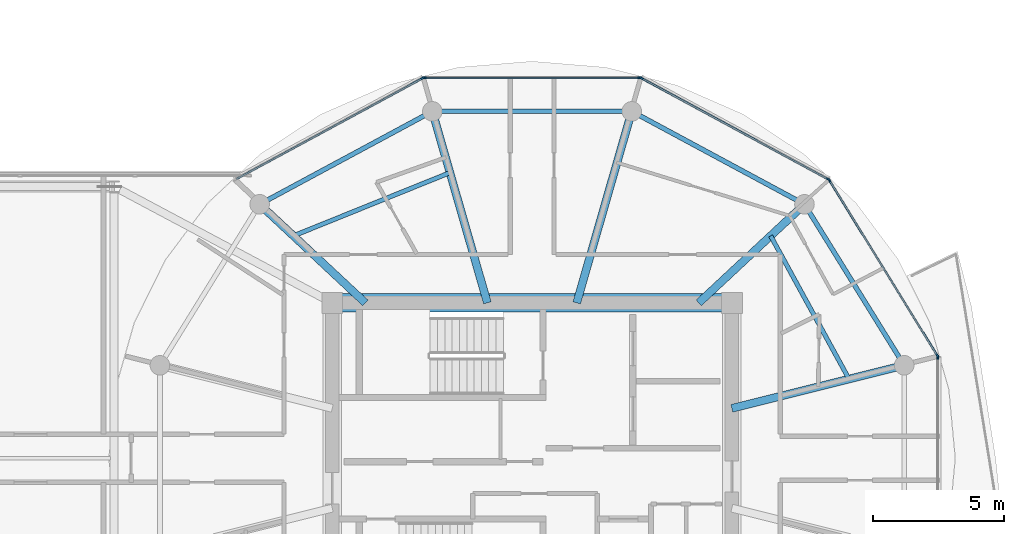
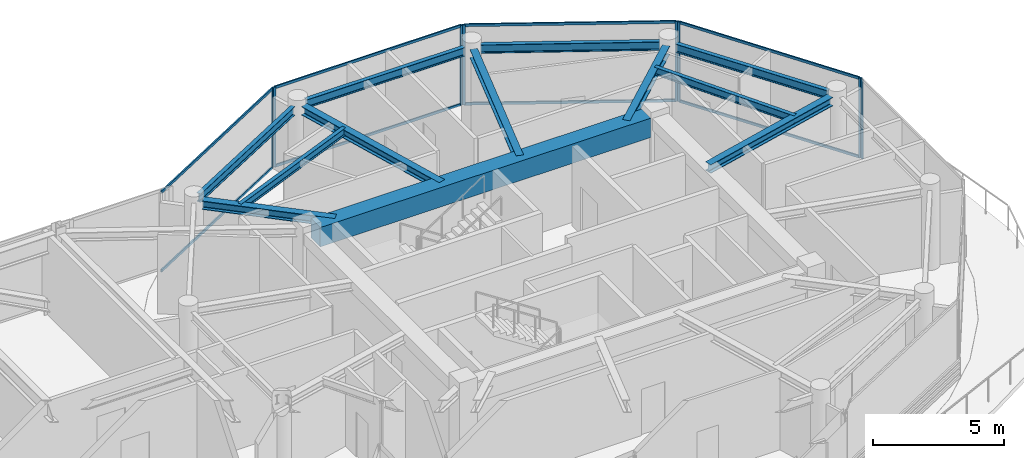
# One storey, part 10 of 24: 16 members, 12 beams, 5 elements without a shape of their own.
"""IFC4 building model written with IfcOpenShell, lengths in metres."""

import ifcopenshell
import ifcopenshell.guid

model = None  # the IFC model being written
_history = None  # IfcOwnerHistory: only IFC2X3 demands one
_inside = {}  # id of a spatial element -> (the spatial element, [elements in it])
_under = {}  # id of a project, library or spatial element -> (it, [spatial elements below it])
_declared = {}  # id of a project -> (the project, [libraries it declares])
_typed = {}  # id of a type object -> (the type object, [elements of that type])
_made_of = {}  # id of a material, layer set ... -> (it, [elements and type objects made of it])


def new_model(schema):
    """Start an empty IFC model of exactly this schema.

    Asked for "IFC4X3", IfcOpenShell would pick the latest addendum, in which some entities
    have other attributes; the version numbers below select the first issue.
    IFC2X3 requires an IfcOwnerHistory on every rooted entity: one is made here for all.
    """
    global model, _history
    if schema == "IFC4X3":
        model = ifcopenshell.file(schema_version=(4, 3, 0, 0))
    else:
        model = ifcopenshell.file(schema=schema)
    _inside.clear()
    _under.clear()
    _declared.clear()
    _typed.clear()
    _made_of.clear()
    _history = None
    if model.schema == "IFC2X3":
        org = make("IfcOrganization", Name="unknown")
        user = make(
            "IfcPersonAndOrganization",
            ThePerson=make("IfcPerson", FamilyName="unknown"),
            TheOrganization=org,
        )
        app = make(
            "IfcApplication",
            ApplicationDeveloper=org,
            Version="unknown",
            ApplicationFullName="unknown",
            ApplicationIdentifier="unknown",
        )
        _history = make(
            "IfcOwnerHistory",
            OwningUser=user,
            OwningApplication=app,
            ChangeAction="ADDED",
            CreationDate=0,
        )
    return model


def make(cls, **values):
    """One entity of the class cls with the attributes given. An attribute that is None is left unset."""
    return model.create_entity(
        cls, **{name: value for name, value in values.items() if value is not None}
    )


def rooted(cls, **values):
    """An entity with a GlobalId (a new one), such as an element, a storey or a relation."""
    return make(cls, GlobalId=ifcopenshell.guid.new(), OwnerHistory=_history, **values)


def si_unit(unit_type, name, prefix=None):
    """IfcSIUnit, for example si_unit("LENGTHUNIT", "METRE", prefix="MILLI")."""
    return make("IfcSIUnit", UnitType=unit_type, Prefix=prefix, Name=name)


def assignment(units):
    """IfcUnitAssignment: the units of a project."""
    return None if units is None else make("IfcUnitAssignment", Units=units)


def point(xyz):
    """IfcCartesianPoint."""
    return None if xyz is None else make("IfcCartesianPoint", Coordinates=xyz)


def direction(xyz):
    """IfcDirection."""
    return None if xyz is None else make("IfcDirection", DirectionRatios=xyz)


def frame(location, z_axis=None, x_axis=None):
    """IfcAxis2Placement3D, a coordinate frame: its origin and axes. An axis left out is left unset."""
    return make(
        "IfcAxis2Placement3D",
        Location=point(location),
        Axis=direction(z_axis),
        RefDirection=direction(x_axis),
    )


def frame_2d(location, x_axis=None):
    """IfcAxis2Placement2D, a coordinate frame in the plane: its origin and x axis."""
    return make(
        "IfcAxis2Placement2D", Location=point(location), RefDirection=direction(x_axis)
    )


def origin():
    """The frame at (0, 0, 0) with its axes left unset."""
    return frame((0.0, 0.0, 0.0))


def origin_2d():
    """The frame at (0, 0) in the plane with its x axis left unset."""
    return frame_2d((0.0, 0.0))


def place(relative_to, where):
    """IfcLocalPlacement: puts the frame where relative to a parent placement (None: the world)."""
    return make(
        "IfcLocalPlacement", PlacementRelTo=relative_to, RelativePlacement=where
    )


def context(
    kind, dimensions, precision=None, world=None, true_north=None, identifier=None
):
    """IfcGeometricRepresentationContext, for example the 3D "Model" context."""
    return make(
        "IfcGeometricRepresentationContext",
        ContextIdentifier=identifier,
        ContextType=kind,
        CoordinateSpaceDimension=dimensions,
        Precision=precision,
        WorldCoordinateSystem=world,
        TrueNorth=true_north,
    )


def subcontext(parent, identifier, kind, view, scale=None):
    """IfcGeometricRepresentationSubContext, for example "Body" below "Model"."""
    return make(
        "IfcGeometricRepresentationSubContext",
        ContextIdentifier=identifier,
        ContextType=kind,
        ParentContext=parent,
        TargetScale=scale,
        TargetView=view,
    )


def project(units=None, contexts=None):
    """IfcProject with its units and contexts."""
    return rooted(
        "IfcProject",
        Name="project",
        RepresentationContexts=contexts,
        UnitsInContext=assignment(units),
    )


def spatial(cls, under=None, at=None, **own):
    """A site, building, storey or space (cls), placed at a placement, below another one or the project."""
    s = rooted(cls, ObjectPlacement=at, **own)
    if under is not None:
        _under.setdefault(under.id(), (under, []))[1].append(s)
    return s


def profile(cls, at=None, kind="AREA", **sizes):
    """A parametric profile (cls). Its sizes go by their IFC names, for example OverallWidth=200.0."""
    return make(cls, ProfileType=kind, Position=at, **sizes)


def rectangle(**sizes):
    """IfcRectangleProfileDef."""
    return profile("IfcRectangleProfileDef", **sizes)


def i_section(**sizes):
    """IfcIShapeProfileDef."""
    return profile("IfcIShapeProfileDef", **sizes)


def extrude(swept, where, along, depth):
    """IfcExtrudedAreaSolid: the profile swept, set in the frame where, extruded along a direction by depth."""
    return make(
        "IfcExtrudedAreaSolid",
        SweptArea=swept,
        Position=where,
        ExtrudedDirection=direction(along),
        Depth=depth,
    )


def shape(context_of_items, identifier, shape_type, items):
    """IfcShapeRepresentation: the items that make up one representation, for example the "Body"."""
    return make(
        "IfcShapeRepresentation",
        ContextOfItems=context_of_items,
        RepresentationIdentifier=identifier,
        RepresentationType=shape_type,
        Items=items,
    )


def source(mapping_origin, context_of_items, identifier, shape_type, items):
    """IfcRepresentationMap: a shape defined once, which mapped items show again and again."""
    return make(
        "IfcRepresentationMap",
        MappingOrigin=mapping_origin,
        MappedRepresentation=shape(context_of_items, identifier, shape_type, items),
    )


def transform(
    local_origin,
    x_axis=None,
    y_axis=None,
    z_axis=None,
    scale=None,
    scale2=None,
    scale3=None,
    uniform=True,
):
    """IfcCartesianTransformationOperator3D, or its non-uniform kind. x_axis, y_axis, z_axis: its Axis1, 2, 3."""
    if uniform:
        return make(
            "IfcCartesianTransformationOperator3D",
            Axis1=direction(x_axis),
            Axis2=direction(y_axis),
            LocalOrigin=point(local_origin),
            Scale=scale,
            Axis3=direction(z_axis),
        )
    return make(
        "IfcCartesianTransformationOperator3DnonUniform",
        Axis1=direction(x_axis),
        Axis2=direction(y_axis),
        LocalOrigin=point(local_origin),
        Scale=scale,
        Axis3=direction(z_axis),
        Scale2=scale2,
        Scale3=scale3,
    )


def mapped(mapping_source, mapping_target):
    """IfcMappedItem: shows the shape of a source again, moved by a transform."""
    return make(
        "IfcMappedItem", MappingSource=mapping_source, MappingTarget=mapping_target
    )


def material(Name=None, Category=None):
    """IfcMaterial."""
    return make("IfcMaterial", Name=Name, Category=Category)


def layer(
    of_material, thickness, ventilated=None, Name=None, Category=None, Priority=None
):
    """IfcMaterialLayer: one layer of a wall or slab, of a material (None: an air gap)."""
    return make(
        "IfcMaterialLayer",
        Material=of_material,
        LayerThickness=thickness,
        IsVentilated=ventilated,
        Name=Name,
        Category=Category,
        Priority=Priority,
    )


def layer_set(layers, Name=None):
    """IfcMaterialLayerSet."""
    return make("IfcMaterialLayerSet", MaterialLayers=layers, LayerSetName=Name)


def material_profile(
    of_material, cross_section, Name=None, Category=None, Priority=None
):
    """IfcMaterialProfile: a cross section and its material."""
    return make(
        "IfcMaterialProfile",
        Name=Name,
        Material=of_material,
        Profile=cross_section,
        Priority=Priority,
        Category=Category,
    )


def profile_set(profiles, Name=None, composite=None):
    """IfcMaterialProfileSet."""
    return make(
        "IfcMaterialProfileSet",
        Name=Name,
        MaterialProfiles=profiles,
        CompositeProfile=composite,
    )


def made_of(thing, what):
    """Note that an element or type object is made of a material, layer set ...; save() writes the relation."""
    if what is not None:
        _made_of.setdefault(what.id(), (what, []))[1].append(thing)
    return thing


def type_object(cls, material=None, **own):
    """A type object (cls), such as IfcWallType, which elements share."""
    return made_of(rooted(cls, **own), material)


def type_shapes(of_type, sources):
    """Give a type object the sources (RepresentationMaps) that its elements show as mapped items."""
    of_type.RepresentationMaps = sources


def element(
    cls,
    number,
    at=None,
    inside=None,
    cuts=None,
    type_object=None,
    material=None,
    context=None,
    identifier="Body",
    shape_type=None,
    held_by="IfcProductDefinitionShape",
    body=None,
    shapes=None,
    **own,
):
    """One element of the class cls, such as IfcWall. Its Tag is "e" and its number.

    at: its placement. inside: the storey or other place that contains it. cuts: it is an
    opening in that element (IfcRelVoidsElement). A single representation is given by context,
    identifier, shape_type and body (its items); several are given by shapes. held_by: the class
    of the entity that holds the representations. save() writes the other relations.
    """
    e = rooted(cls, Tag="e%d" % number, ObjectPlacement=at, **own)
    if body is not None:
        shapes = [shape(context, identifier, shape_type, body)]
    if shapes is not None:
        e.Representation = make(held_by, Representations=shapes)
    if inside is not None:
        _inside.setdefault(inside.id(), (inside, []))[1].append(e)
    if cuts is not None:
        rooted(
            "IfcRelVoidsElement", RelatingBuildingElement=cuts, RelatedOpeningElement=e
        )
    if type_object is not None:
        _typed.setdefault(type_object.id(), (type_object, []))[1].append(e)
    return made_of(e, material)


def aggregate(whole, parts):
    """IfcRelAggregates: a whole, such as a stair, and the parts it consists of."""
    return rooted("IfcRelAggregates", RelatingObject=whole, RelatedObjects=parts)


def save(model, path):
    """Write the relations noted so far, then the file.

    IfcRelAggregates (storeys below a building ...), IfcRelContainedInSpatialStructure (elements
    in a storey), IfcRelDefinesByType, IfcRelAssociatesMaterial and IfcRelDeclares: one each for
    every whole, place, type object, material and project.
    """
    for whole, parts in _under.values():
        aggregate(whole, parts)
    for where, things in _inside.values():
        rooted(
            "IfcRelContainedInSpatialStructure",
            RelatedElements=things,
            RelatingStructure=where,
        )
    for kind, things in _typed.values():
        rooted("IfcRelDefinesByType", RelatedObjects=things, RelatingType=kind)
    for what, things in _made_of.values():
        rooted("IfcRelAssociatesMaterial", RelatedObjects=things, RelatingMaterial=what)
    for by, libraries in _declared.values():
        rooted("IfcRelDeclares", RelatingContext=by, RelatedDefinitions=libraries)
    model.write(path)


model = new_model("IFC4")

# Units and contexts
model_context = context("Model", 3, precision=1e-05, world=origin(), true_north=direction((0.0, 1.0)))
body_context = subcontext(model_context, "Body", "Model", "MODEL_VIEW")
ifc_project = project(units=[si_unit("LENGTHUNIT", "METRE"), si_unit("AREAUNIT", "SQUARE_METRE"), si_unit("VOLUMEUNIT", "CUBIC_METRE"), si_unit("PLANEANGLEUNIT", "RADIAN"), si_unit("MASSUNIT", "GRAM", prefix="KILO")], contexts=[model_context])

# Site, building, storey
site_placement = place(None, origin())
site = spatial("IfcSite", under=ifc_project, at=site_placement, CompositionType="ELEMENT")
building_placement = place(site_placement, origin())
building = spatial("IfcBuilding", under=site, at=building_placement, Name="Norrkilde Senior Care Towers", CompositionType="ELEMENT")
storey_placement = place(building_placement, frame((0.0, 0.0, 203.800048828125)))
storey = spatial("IfcBuildingStorey", under=building, at=storey_placement, Name="L63", CompositionType="ELEMENT", Elevation=203.800048828125)

# Beams
ifc_material_1 = material(Name="Concrete C60/75", Category="concrete")
ifc_material_profile_1 = material_profile(ifc_material_1, rectangle(XDim=0.699951171875, YDim=0.89990234375, at=origin_2d()), Name="RC BM 700x900")
ifc_profile_set_1 = profile_set([ifc_material_profile_1], Name="Concrete C60/75")
beam_type_1 = type_object("IfcBeamType", Name="Core Coupling Girder 700x900", PredefinedType="USERDEFINED", material=ifc_profile_set_1)
shared_shape_1 = source(origin(), body_context, "Body", "SweptSolid", [
    extrude(rectangle(XDim=0.699951171875, YDim=0.89990234375, at=origin_2d()), origin(), (0.0, 0.0, 1.0), 14.5400390625),
])
type_shapes(beam_type_1, [shared_shape_1])
beam_1_placement = place(storey_placement, frame((20.72998046875, 5.949951171875, 3.260009765625), z_axis=(1.0, 0.0, 0.0), x_axis=(0.0, 1.0, 0.0)))
element("IfcBeam", 1, at=beam_1_placement, inside=storey, type_object=beam_type_1, Name="L63 Core E N Coupling Girder", ObjectType="GIRDER", PredefinedType="USERDEFINED", context=body_context, shape_type="MappedRepresentation", body=[
    mapped(shared_shape_1, transform((0.0, 0.0, 0.0), x_axis=(1.0, 0.0, 0.0), y_axis=(0.0, 1.0, 0.0), z_axis=(0.0, 0.0, 1.0), scale=1.0)),
])
ifc_material_2 = material(Name="Steel S355", Category="steel")
ifc_material_profile_2 = material_profile(ifc_material_2, i_section(OverallWidth=0.179931640625, OverallDepth=0.39990234375, WebThickness=0.008544921875, FlangeThickness=0.013427734375, FilletRadius=0.02099609375, at=origin_2d()), Name="IPE 400")
ifc_profile_set_2 = profile_set([ifc_material_profile_2], Name="Steel S355")
beam_type_2 = type_object("IfcBeamType", Name="Perimeter Ring Spandrel Z4 IPE400", PredefinedType="SPANDREL", material=ifc_profile_set_2)
shared_shape_2 = source(origin(), body_context, "Body", "SweptSolid", [
    extrude(i_section(OverallWidth=0.179931640625, OverallDepth=0.39990234375, WebThickness=0.008544921875, FlangeThickness=0.013427734375, FilletRadius=0.02099609375, at=origin_2d()), origin(), (0.0, 0.0, 1.0), 6.58056640625),
])
beam_2_placement = place(storey_placement, frame((42.071044921875, 3.843505859375, 3.510009765625), z_axis=(-0.526529583789, 0.850156807533, 0.0), x_axis=(-0.850156807533, -0.526529583789, 0.0)))
element("IfcBeam", 2, at=beam_2_placement, inside=storey, type_object=beam_type_2, Name="L63 Drum E Perimeter Spandrel 01", PredefinedType="SPANDREL", context=body_context, shape_type="MappedRepresentation", body=[
    mapped(shared_shape_2, transform((0.0, 0.0, 0.0), x_axis=(1.0, 0.0, 0.0), y_axis=(0.0, 1.0, 0.0), z_axis=(0.0, 0.0, 1.0), scale=1.0)),
])
ifc_material_profile_3 = material_profile(ifc_material_2, i_section(OverallWidth=0.300048828125, OverallDepth=0.39990234375, WebThickness=0.013427734375, FlangeThickness=0.02392578125, FilletRadius=0.027099609375, at=origin_2d()), Name="HEB 400")
ifc_profile_set_3 = profile_set([ifc_material_profile_3], Name="Steel S355")
beam_type_3 = type_object("IfcBeamType", Name="Radial Floor Beam Z4 HEB400", PredefinedType="BEAM", material=ifc_profile_set_3)
shared_shape_3 = source(origin(), body_context, "Body", "SweptSolid", [
    extrude(i_section(OverallWidth=0.300048828125, OverallDepth=0.39990234375, WebThickness=0.013427734375, FlangeThickness=0.02392578125, FilletRadius=0.027099609375, at=origin_2d()), origin(), (0.0, 0.0, 1.0), 6.465087890625),
])
beam_3_placement = place(storey_placement, frame((35.64990234375, 1.910888671875, 3.510009765625), z_axis=(0.970195788563, 0.242322371758, 0.0), x_axis=(-0.242322371758, 0.970195788563, 0.0)))
element("IfcBeam", 3, at=beam_3_placement, inside=storey, type_object=beam_type_3, Name="L63 Drum E Radial Floor Beam 01", PredefinedType="BEAM", context=body_context, shape_type="MappedRepresentation", body=[
    mapped(shared_shape_3, transform((0.0, 0.0, 0.0), x_axis=(1.0, 0.0, 0.0), y_axis=(0.0, 1.0, 0.0), z_axis=(0.0, 0.0, 1.0), scale=1.0)),
])
shared_shape_4 = source(origin(), body_context, "Body", "SweptSolid", [
    extrude(i_section(OverallWidth=0.179931640625, OverallDepth=0.39990234375, WebThickness=0.008544921875, FlangeThickness=0.013427734375, FilletRadius=0.02099609375, at=origin_2d()), origin(), (0.0, 0.0, 1.0), 6.839111328125),
])
for number, where, z_axis, x_axis, name in (
    (4, (38.134765625, 9.881591796875, 3.510009765625), (-0.880563930732, 0.473927382511, 0.0), (-0.473927382511, -0.880563930732, 0.0), "L63 Drum E Perimeter Spandrel 02"),
    (5, (23.887451171875, 13.122802734375, 3.510009765625), (-0.880563930732, -0.473927382511, 0.0), (0.473927382511, -0.880563930732, 0.0), "L63 Drum E Perimeter Spandrel 04"),
):
    element("IfcBeam", number, at=place(storey_placement, frame(where, z_axis=z_axis, x_axis=x_axis)), inside=storey, type_object=beam_type_2, Name=name, PredefinedType="SPANDREL", context=body_context, shape_type="MappedRepresentation", body=[
        mapped(shared_shape_4, transform((0.0, 0.0, 0.0), x_axis=(1.0, 0.0, 0.0), y_axis=(0.0, 1.0, 0.0), z_axis=(0.0, 0.0, 1.0), scale=1.0)),
    ])
shared_shape_5 = source(origin(), body_context, "Body", "SweptSolid", [
    extrude(i_section(OverallWidth=0.300048828125, OverallDepth=0.39990234375, WebThickness=0.013427734375, FlangeThickness=0.02392578125, FilletRadius=0.027099609375, at=origin_2d()), origin(), (0.0, 0.0, 1.0), 5.197998046875),
])
for number, where, z_axis, x_axis, name in (
    (6, (34.3828125, 5.949951171875, 3.510009765625), (0.731448749334, 0.681896419625, 0.0), (-0.681896419625, 0.731448749334, 0.0), "L63 Drum E Radial Floor Beam 02"),
    (7, (21.6171875, 5.949951171875, 3.510009765625), (-0.731448749334, 0.681896419625, 0.0), (-0.681896419625, -0.731448749334, 0.0), "L63 Drum E Radial Floor Beam 05"),
):
    element("IfcBeam", number, at=place(storey_placement, frame(where, z_axis=z_axis, x_axis=x_axis)), inside=storey, type_object=beam_type_3, Name=name, PredefinedType="BEAM", context=body_context, shape_type="MappedRepresentation", body=[
        mapped(shared_shape_5, transform((0.0, 0.0, 0.0), x_axis=(1.0, 0.0, 0.0), y_axis=(0.0, 1.0, 0.0), z_axis=(0.0, 0.0, 1.0), scale=1.0)),
    ])
shared_shape_6 = source(origin(), body_context, "Body", "SweptSolid", [
    extrude(i_section(OverallWidth=0.179931640625, OverallDepth=0.39990234375, WebThickness=0.008544921875, FlangeThickness=0.013427734375, FilletRadius=0.02099609375, at=origin_2d()), origin(), (0.0, 0.0, 1.0), 6.96533203125),
])
type_shapes(beam_type_2, [shared_shape_2, shared_shape_4, shared_shape_6])
beam_4_placement = place(storey_placement, frame((31.482666015625, 13.281494140625, 3.510009765625), z_axis=(-1.0, 0.0, 0.0), x_axis=(0.0, -1.0, 0.0)))
element("IfcBeam", 8, at=beam_4_placement, inside=storey, type_object=beam_type_2, Name="L63 Drum E Perimeter Spandrel 03", PredefinedType="SPANDREL", context=body_context, shape_type="MappedRepresentation", body=[
    mapped(shared_shape_6, transform((0.0, 0.0, 0.0), x_axis=(1.0, 0.0, 0.0), y_axis=(0.0, 1.0, 0.0), z_axis=(0.0, 0.0, 1.0), scale=1.0)),
])
shared_shape_7 = source(origin(), body_context, "Body", "SweptSolid", [
    extrude(i_section(OverallWidth=0.300048828125, OverallDepth=0.39990234375, WebThickness=0.013427734375, FlangeThickness=0.02392578125, FilletRadius=0.027099609375, at=origin_2d()), origin(), (0.0, 0.0, 1.0), 7.29345703125),
])
type_shapes(beam_type_3, [shared_shape_3, shared_shape_5, shared_shape_7])
for number, where, z_axis, x_axis, name in (
    (9, (29.710205078125, 5.949951171875, 3.510009765625), (0.276263751906, 0.961081858836, 0.0), (-0.961081858836, 0.276263751906, 0.0), "L63 Drum E Radial Floor Beam 03"),
    (10, (26.289794921875, 5.949951171875, 3.510009765625), (-0.276263751906, 0.961081858836, 0.0), (-0.961081858836, -0.276263751906, 0.0), "L63 Drum E Radial Floor Beam 04"),
):
    element("IfcBeam", number, at=place(storey_placement, frame(where, z_axis=z_axis, x_axis=x_axis)), inside=storey, type_object=beam_type_3, Name=name, PredefinedType="BEAM", context=body_context, shape_type="MappedRepresentation", body=[
        mapped(shared_shape_7, transform((0.0, 0.0, 0.0), x_axis=(1.0, 0.0, 0.0), y_axis=(0.0, 1.0, 0.0), z_axis=(0.0, 0.0, 1.0), scale=1.0)),
    ])
ifc_material_profile_4 = material_profile(ifc_material_2, i_section(OverallWidth=0.169921875, OverallDepth=0.360107421875, WebThickness=0.008056640625, FlangeThickness=0.0126953125, FilletRadius=0.01806640625, at=origin_2d()), Name="IPE 360")
ifc_profile_set_4 = profile_set([ifc_material_profile_4], Name="Steel S355")
beam_type_4 = type_object("IfcBeamType", Name="Secondary Floor Joist IPE360", PredefinedType="JOIST", material=ifc_profile_set_4)
shared_shape_8 = source(origin(), body_context, "Body", "SweptSolid", [
    extrude(i_section(OverallWidth=0.169921875, OverallDepth=0.360107421875, WebThickness=0.008056640625, FlangeThickness=0.0126953125, FilletRadius=0.01806640625, at=origin_2d()), origin(), (0.0, 0.0, 1.0), 6.461669921875),
])
beam_5_placement = place(storey_placement, frame((24.856689453125, 10.935302734375, 3.530029296875), z_axis=(-0.927225942298, -0.374502405772, 0.0), x_axis=(0.374502405772, -0.927225942298, 0.0)))
element("IfcBeam", 11, at=beam_5_placement, inside=storey, type_object=beam_type_4, Name="L63 Drum E Secondary Floor Joist 2", PredefinedType="JOIST", context=body_context, shape_type="MappedRepresentation", body=[
    mapped(shared_shape_8, transform((0.0, 0.0, 0.0), x_axis=(1.0, 0.0, 0.0), y_axis=(0.0, 1.0, 0.0), z_axis=(0.0, 0.0, 1.0), scale=1.0)),
])
shared_shape_9 = source(origin(), body_context, "Body", "SweptSolid", [
    extrude(i_section(OverallWidth=0.169921875, OverallDepth=0.360107421875, WebThickness=0.008056640625, FlangeThickness=0.0126953125, FilletRadius=0.01806640625, at=origin_2d()), origin(), (0.0, 0.0, 1.0), 6.25146484375),
])
type_shapes(beam_type_4, [shared_shape_8, shared_shape_9])
beam_6_placement = place(storey_placement, frame((40.13623046875, 3.031494140625, 3.530029296875), z_axis=(-0.480115752653, 0.877205143655, 0.0), x_axis=(-0.877205143655, -0.480115752653, 0.0)))
element("IfcBeam", 12, at=beam_6_placement, inside=storey, type_object=beam_type_4, Name="L63 Drum E Secondary Floor Joist 1", PredefinedType="JOIST", context=body_context, shape_type="MappedRepresentation", body=[
    mapped(shared_shape_9, transform((0.0, 0.0, 0.0), x_axis=(1.0, 0.0, 0.0), y_axis=(0.0, 1.0, 0.0), z_axis=(0.0, 0.0, 1.0), scale=1.0)),
])

# Curtain wall, members
ifc_material_3 = material(Name="Triple Low-E Insulated Glazing", Category="glass")
ifc_layer = layer(ifc_material_3, 0.18505859375)
ifc_layer_set = layer_set([ifc_layer], Name="Triple Low-E Insulated Glazing")
curtain_wall_type = type_object("IfcCurtainWallType", Name="CW6 Zone 4 Crown Pavilion Curtain Wall", PredefinedType="NOTDEFINED", material=ifc_layer_set)
curtain_wall_1_placement = place(storey_placement, origin())
curtain_wall_1 = element("IfcCurtainWall", 13, at=curtain_wall_1_placement, inside=storey, type_object=curtain_wall_type, Name="L63 Drum E Curtain Wall 00", PredefinedType="NOTDEFINED")
ifc_material_4 = material(Name="Anodised Aluminium", Category="aluminium")
ifc_material_profile_5 = material_profile(ifc_material_4, rectangle(XDim=0.06005859375, YDim=0.1201171875, at=origin_2d()), Name="ALU TRAN 60x120")
ifc_profile_set_5 = profile_set([ifc_material_profile_5], Name="Anodised Aluminium")
member_type_1 = type_object("IfcMemberType", Name="Curtain Wall Transom Typical 60x120", PredefinedType="USERDEFINED", material=ifc_profile_set_5)
shared_shape_10 = source(origin(), body_context, "Body", "SweptSolid", [
    extrude(rectangle(XDim=0.06005859375, YDim=0.1201171875, at=origin_2d()), origin(), (0.0, 0.0, 1.0), 7.808837890625),
])
member_1_placement = place(storey_placement, frame((39.404296875, 10.60791015625, 0.030029296875), z_axis=(0.524250924101, -0.851563837055, 0.0), x_axis=(0.851563837055, 0.524250924101, 0.0)))
member_1 = element("IfcMember", 14, at=member_1_placement, type_object=member_type_1, Name="CW-6 transom 1.1", ObjectType="TRANSOM", PredefinedType="USERDEFINED", context=body_context, shape_type="MappedRepresentation", body=[
    mapped(shared_shape_10, transform((0.0, 0.0, 0.0), x_axis=(1.0, 0.0, 0.0), y_axis=(0.0, 1.0, 0.0), z_axis=(0.0, 0.0, 1.0), scale=1.0)),
])
member_2_placement = place(storey_placement, frame((39.404296875, 10.60791015625, 3.679931640625), z_axis=(0.524250924101, -0.851563837055, 0.0), x_axis=(0.851563837055, 0.524250924101, 0.0)))
member_2 = element("IfcMember", 15, at=member_2_placement, type_object=member_type_1, Name="CW-6 transom 1.2", ObjectType="TRANSOM", PredefinedType="USERDEFINED", context=body_context, shape_type="MappedRepresentation", body=[
    mapped(shared_shape_10, transform((0.0, 0.0, 0.0), x_axis=(1.0, 0.0, 0.0), y_axis=(0.0, 1.0, 0.0), z_axis=(0.0, 0.0, 1.0), scale=1.0)),
])

curtain_wall_2_placement = place(storey_placement, origin())
curtain_wall_2 = element("IfcCurtainWall", 16, at=curtain_wall_2_placement, inside=storey, type_object=curtain_wall_type, Name="L63 Drum E Curtain Wall 02", PredefinedType="NOTDEFINED")
shared_shape_11 = source(origin(), body_context, "Body", "SweptSolid", [
    extrude(rectangle(XDim=0.06005859375, YDim=0.1201171875, at=origin_2d()), origin(), (0.0, 0.0, 1.0), 8.19384765625),
])
member_3_placement = place(storey_placement, frame((23.903076171875, 14.566162109375, 0.030029296875), z_axis=(1.0, 0.0, 0.0), x_axis=(0.0, 1.0, 0.0)))
member_3 = element("IfcMember", 17, at=member_3_placement, type_object=member_type_1, Name="CW-6 transom 1.1", ObjectType="TRANSOM", PredefinedType="USERDEFINED", context=body_context, shape_type="MappedRepresentation", body=[
    mapped(shared_shape_11, transform((0.0, 0.0, 0.0), x_axis=(1.0, 0.0, 0.0), y_axis=(0.0, 1.0, 0.0), z_axis=(0.0, 0.0, 1.0), scale=1.0)),
])
member_4_placement = place(storey_placement, frame((23.903076171875, 14.566162109375, 3.679931640625), z_axis=(1.0, 0.0, 0.0), x_axis=(0.0, 1.0, 0.0)))
member_4 = element("IfcMember", 18, at=member_4_placement, type_object=member_type_1, Name="CW-6 transom 1.2", ObjectType="TRANSOM", PredefinedType="USERDEFINED", context=body_context, shape_type="MappedRepresentation", body=[
    mapped(shared_shape_11, transform((0.0, 0.0, 0.0), x_axis=(1.0, 0.0, 0.0), y_axis=(0.0, 1.0, 0.0), z_axis=(0.0, 0.0, 1.0), scale=1.0)),
])

curtain_wall_3_placement = place(storey_placement, origin())
curtain_wall_3 = element("IfcCurtainWall", 19, at=curtain_wall_3_placement, inside=storey, type_object=curtain_wall_type, Name="L63 Drum E Curtain Wall 01", PredefinedType="NOTDEFINED")
shared_shape_12 = source(origin(), body_context, "Body", "SweptSolid", [
    extrude(rectangle(XDim=0.06005859375, YDim=0.1201171875, at=origin_2d()), origin(), (0.0, 0.0, 1.0), 8.0673828125),
])
type_shapes(member_type_1, [shared_shape_10, shared_shape_11, shared_shape_12])
member_5_placement = place(storey_placement, frame((32.218994140625, 14.53515625, 0.030029296875), z_axis=(0.87937750072, -0.476125205411, 0.0), x_axis=(0.476125205411, 0.87937750072, 0.0)))
member_5 = element("IfcMember", 20, at=member_5_placement, type_object=member_type_1, Name="CW-6 transom 1.1", ObjectType="TRANSOM", PredefinedType="USERDEFINED", context=body_context, shape_type="MappedRepresentation", body=[
    mapped(shared_shape_12, transform((0.0, 0.0, 0.0), x_axis=(1.0, 0.0, 0.0), y_axis=(0.0, 1.0, 0.0), z_axis=(0.0, 0.0, 1.0), scale=1.0)),
])
member_6_placement = place(storey_placement, frame((32.218994140625, 14.53515625, 3.679931640625), z_axis=(0.87937750072, -0.476125205411, 0.0), x_axis=(0.476125205411, 0.87937750072, 0.0)))
member_6 = element("IfcMember", 21, at=member_6_placement, type_object=member_type_1, Name="CW-6 transom 1.2", ObjectType="TRANSOM", PredefinedType="USERDEFINED", context=body_context, shape_type="MappedRepresentation", body=[
    mapped(shared_shape_12, transform((0.0, 0.0, 0.0), x_axis=(1.0, 0.0, 0.0), y_axis=(0.0, 1.0, 0.0), z_axis=(0.0, 0.0, 1.0), scale=1.0)),
])

curtain_wall_4_placement = place(storey_placement, origin())
curtain_wall_4 = element("IfcCurtainWall", 22, at=curtain_wall_4_placement, inside=storey, type_object=curtain_wall_type, Name="L63 Drum E Curtain Wall 03", PredefinedType="NOTDEFINED")
member_7_placement = place(storey_placement, frame((16.686767578125, 10.694091796875, 0.030029296875), z_axis=(0.87937750072, 0.476125205411, 0.0), x_axis=(-0.476125205411, 0.87937750072, 0.0)))
member_7 = element("IfcMember", 23, at=member_7_placement, type_object=member_type_1, Name="CW-6 transom 1.1", ObjectType="TRANSOM", PredefinedType="USERDEFINED", context=body_context, shape_type="MappedRepresentation", body=[
    mapped(shared_shape_12, transform((0.0, 0.0, 0.0), x_axis=(1.0, 0.0, 0.0), y_axis=(0.0, 1.0, 0.0), z_axis=(0.0, 0.0, 1.0), scale=1.0)),
])
member_8_placement = place(storey_placement, frame((16.686767578125, 10.694091796875, 3.679931640625), z_axis=(0.87937750072, 0.476125205411, 0.0), x_axis=(-0.476125205411, 0.87937750072, 0.0)))
member_8 = element("IfcMember", 24, at=member_8_placement, type_object=member_type_1, Name="CW-6 transom 1.2", ObjectType="TRANSOM", PredefinedType="USERDEFINED", context=body_context, shape_type="MappedRepresentation", body=[
    mapped(shared_shape_12, transform((0.0, 0.0, 0.0), x_axis=(1.0, 0.0, 0.0), y_axis=(0.0, 1.0, 0.0), z_axis=(0.0, 0.0, 1.0), scale=1.0)),
])

# Member
ifc_material_profile_6 = material_profile(ifc_material_4, rectangle(XDim=0.06494140625, YDim=0.14990234375, at=origin_2d()), Name="ALU MULL 65x150")
ifc_profile_set_6 = profile_set([ifc_material_profile_6], Name="Anodised Aluminium")
member_type_2 = type_object("IfcMemberType", Name="Curtain Wall Mullion Z3-Z4 65x150", PredefinedType="MULLION", material=ifc_profile_set_6)
shared_shape_13 = source(origin(), body_context, "Body", "SweptSolid", [
    extrude(rectangle(XDim=0.06494140625, YDim=0.14990234375, at=origin_2d()), origin(), (0.0, 0.0, 1.0), 3.7099609375),
])
type_shapes(member_type_2, [shared_shape_13])
member_9_placement = place(storey_placement, frame((39.38720703125, 10.635498046875, 0.0), z_axis=(0.0, 0.0, 1.0), x_axis=(0.851562727283, 0.524252726748, 0.0)))
member_9 = element("IfcMember", 25, at=member_9_placement, type_object=member_type_2, Name="CW-6 mullion 1", PredefinedType="MULLION", context=body_context, shape_type="MappedRepresentation", body=[
    mapped(shared_shape_13, transform((0.0, 0.0, 0.0), x_axis=(1.0, 0.0, 0.0), y_axis=(0.0, 1.0, 0.0), z_axis=(0.0, 0.0, 1.0), scale=1.0)),
])

member_10_placement = place(storey_placement, frame((43.51513671875, 3.9306640625, 0.0), z_axis=(0.0, 0.0, 1.0), x_axis=(0.851562727283, 0.524252726748, 0.0)))
member_10 = element("IfcMember", 26, at=member_10_placement, type_object=member_type_2, Name="CW-6 mullion 2", PredefinedType="MULLION", context=body_context, shape_type="MappedRepresentation", body=[
    mapped(shared_shape_13, transform((0.0, 0.0, 0.0), x_axis=(1.0, 0.0, 0.0), y_axis=(0.0, 1.0, 0.0), z_axis=(0.0, 0.0, 1.0), scale=1.0)),
])

aggregate(curtain_wall_1, [member_9, member_10, member_1, member_2])

member_11_placement = place(storey_placement, frame((32.1904296875, 14.55078125, 0.0), z_axis=(0.0, 0.0, 1.0), x_axis=(0.476132676136, 0.879373455772, 0.0)))
member_11 = element("IfcMember", 27, at=member_11_placement, type_object=member_type_2, Name="CW-6 mullion 1", PredefinedType="MULLION", context=body_context, shape_type="MappedRepresentation", body=[
    mapped(shared_shape_13, transform((0.0, 0.0, 0.0), x_axis=(1.0, 0.0, 0.0), y_axis=(0.0, 1.0, 0.0), z_axis=(0.0, 0.0, 1.0), scale=1.0)),
])

member_12_placement = place(storey_placement, frame((39.341796875, 10.6787109375, 0.0), z_axis=(0.0, 0.0, 1.0), x_axis=(0.476132676136, 0.879373455772, 0.0)))
member_12 = element("IfcMember", 28, at=member_12_placement, type_object=member_type_2, Name="CW-6 mullion 2", PredefinedType="MULLION", context=body_context, shape_type="MappedRepresentation", body=[
    mapped(shared_shape_13, transform((0.0, 0.0, 0.0), x_axis=(1.0, 0.0, 0.0), y_axis=(0.0, 1.0, 0.0), z_axis=(0.0, 0.0, 1.0), scale=1.0)),
])

aggregate(curtain_wall_3, [member_11, member_12, member_5, member_6])

member_13_placement = place(storey_placement, frame((23.87060546875, 14.566162109375, 0.0), z_axis=(0.0, 0.0, 1.0), x_axis=(0.0, 1.0, 0.0)))
member_13 = element("IfcMember", 29, at=member_13_placement, type_object=member_type_2, Name="CW-6 mullion 1", PredefinedType="MULLION", context=body_context, shape_type="MappedRepresentation", body=[
    mapped(shared_shape_13, transform((0.0, 0.0, 0.0), x_axis=(1.0, 0.0, 0.0), y_axis=(0.0, 1.0, 0.0), z_axis=(0.0, 0.0, 1.0), scale=1.0)),
])

member_14_placement = place(storey_placement, frame((32.12939453125, 14.566162109375, 0.0), z_axis=(0.0, 0.0, 1.0), x_axis=(0.0, 1.0, 0.0)))
member_14 = element("IfcMember", 30, at=member_14_placement, type_object=member_type_2, Name="CW-6 mullion 2", PredefinedType="MULLION", context=body_context, shape_type="MappedRepresentation", body=[
    mapped(shared_shape_13, transform((0.0, 0.0, 0.0), x_axis=(1.0, 0.0, 0.0), y_axis=(0.0, 1.0, 0.0), z_axis=(0.0, 0.0, 1.0), scale=1.0)),
])

aggregate(curtain_wall_2, [member_13, member_14, member_3, member_4])

member_15_placement = place(storey_placement, frame((23.8095703125, 14.55078125, 0.0), z_axis=(0.0, 0.0, 1.0), x_axis=(-0.476132676136, 0.879373455772, 0.0)))
member_15 = element("IfcMember", 31, at=member_15_placement, type_object=member_type_2, Name="CW-6 mullion 2", PredefinedType="MULLION", context=body_context, shape_type="MappedRepresentation", body=[
    mapped(shared_shape_13, transform((0.0, 0.0, 0.0), x_axis=(1.0, 0.0, 0.0), y_axis=(0.0, 1.0, 0.0), z_axis=(0.0, 0.0, 1.0), scale=1.0)),
])

aggregate(curtain_wall_4, [member_15, member_7, member_8])

# Curtain wall, member
curtain_wall_5_placement = place(storey_placement, origin())
curtain_wall_5 = element("IfcCurtainWall", 32, at=curtain_wall_5_placement, inside=storey, type_object=curtain_wall_type, Name="L63 Drum E Curtain Wall 11", PredefinedType="NOTDEFINED")
member_16_placement = place(storey_placement, frame((43.531982421875, 3.87060546875, 0.0), z_axis=(0.0, 0.0, 1.0), x_axis=(1.0, 0.0, 0.0)))
member_16 = element("IfcMember", 33, at=member_16_placement, type_object=member_type_2, Name="CW-6 mullion 1", PredefinedType="MULLION", context=body_context, shape_type="MappedRepresentation", body=[
    mapped(shared_shape_13, transform((0.0, 0.0, 0.0), x_axis=(1.0, 0.0, 0.0), y_axis=(0.0, 1.0, 0.0), z_axis=(0.0, 0.0, 1.0), scale=1.0)),
])
aggregate(curtain_wall_5, [member_16])

save(model, "model.ifc")
